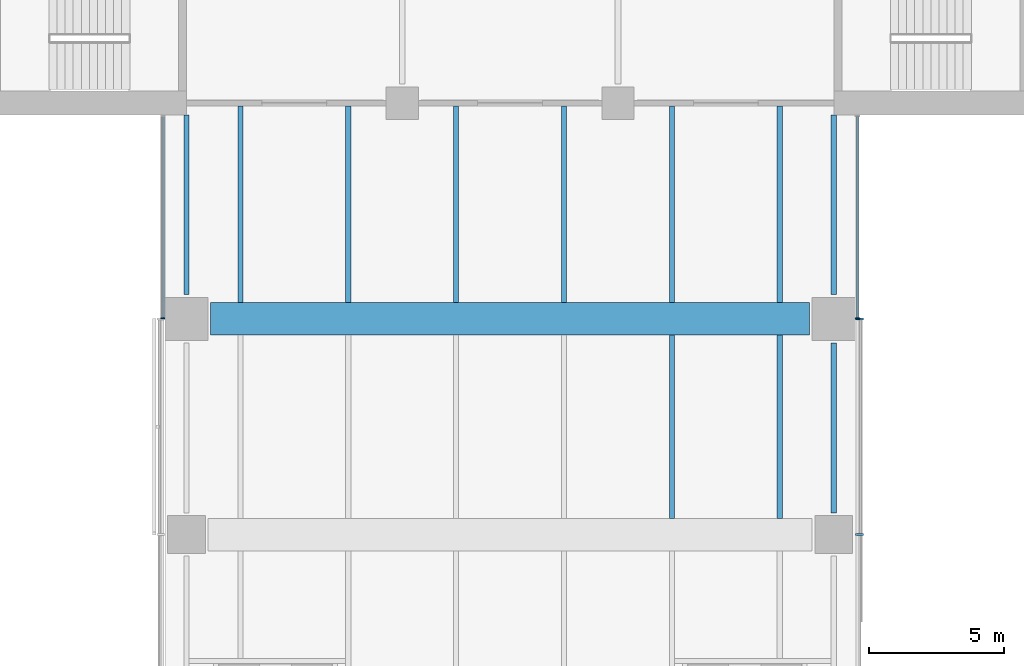
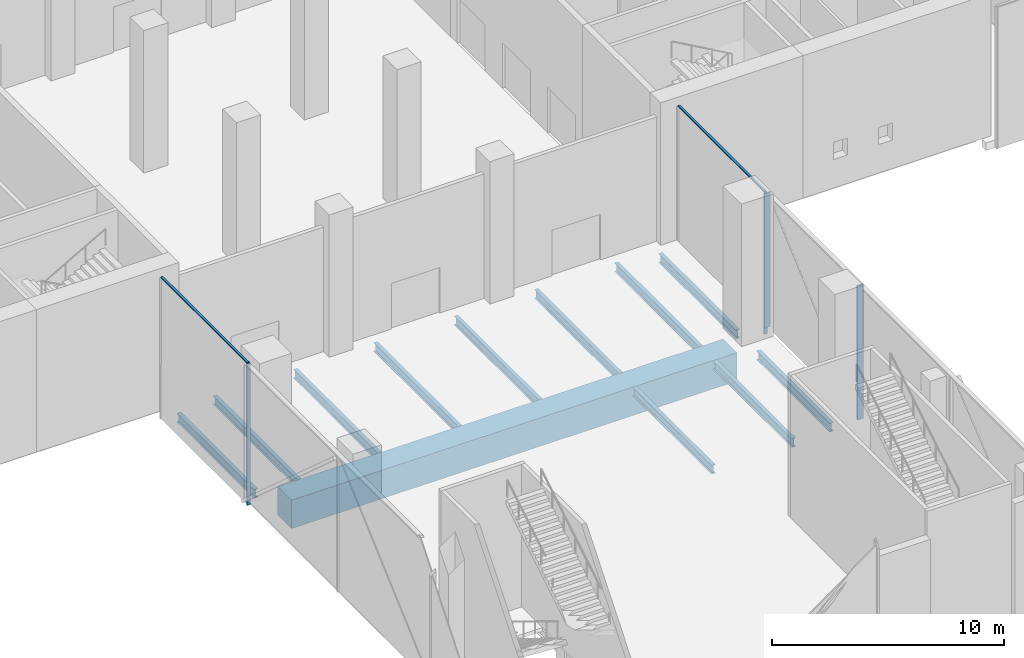
# One storey, part 3 of 25: 12 beams, 6 members, 3 elements without a shape of their own.
"""IFC4 building model written with IfcOpenShell, lengths in metres."""

from ifc_helpers import new_model, si_unit, direction, frame, origin, origin_2d, place, context, subcontext, project, spatial, rectangle, i_section, extrude, material, material_profile, profile_set, type_object, element, aggregate, save


model = new_model("IFC4")

# Units and contexts
model_context = context("Model", 3, precision=1e-05, world=origin(), true_north=direction((0.0, 1.0)))
body_context = subcontext(model_context, "Body", "Model", "MODEL_VIEW")
ifc_project = project(units=[si_unit("LENGTHUNIT", "METRE"), si_unit("AREAUNIT", "SQUARE_METRE"), si_unit("VOLUMEUNIT", "CUBIC_METRE"), si_unit("PLANEANGLEUNIT", "RADIAN"), si_unit("MASSUNIT", "GRAM", prefix="KILO")], contexts=[model_context])

# Site, building, storey
site_placement = place(None, origin())
site = spatial("IfcSite", under=ifc_project, at=site_placement, CompositionType="ELEMENT")
building_placement = place(site_placement, origin())
building = spatial("IfcBuilding", under=site, at=building_placement, Name="Crosswind Convention Tower", CompositionType="ELEMENT")
storey_placement = place(building_placement, frame((0.0, 0.0, 10.0)))
storey = spatial("IfcBuildingStorey", under=building, at=storey_placement, Name="L01", CompositionType="ELEMENT", Elevation=10.0)

# Beams
ifc_material_1 = material(Name="Steel S355", Category="steel")
ifc_material_profile_1 = material_profile(ifc_material_1, i_section(OverallWidth=0.19287109375, OverallDepth=0.467529296875, WebThickness=0.011474609375, FlangeThickness=0.01953125, FilletRadius=0.01025390625, at=origin_2d()), Name="UB 457x191x98")
ifc_profile_set_1 = profile_set([ifc_material_profile_1], Name="Steel S355")
beam_type_1 = type_object("IfcBeamType", Name="Edge beam UB 457x191x98", PredefinedType="SPANDREL", material=ifc_profile_set_1)
beam_1_placement = place(storey_placement, frame((113.0, 80.89990234375, -0.6337890625), z_axis=(0.0, 1.0, 0.0), x_axis=(-1.0, 0.0, 0.0)))
element("IfcBeam", 1, at=beam_1_placement, inside=storey, type_object=beam_type_1, Name="B20 L01 edge beam 8", PredefinedType="SPANDREL", context=body_context, shape_type="SweptSolid", body=[
    extrude(i_section(OverallWidth=0.19287109375, OverallDepth=0.467529296875, WebThickness=0.011474609375, FlangeThickness=0.01953125, FilletRadius=0.01025390625, at=origin_2d()), origin(), (0.0, 0.0, 1.0), 6.650146484375),
])
beam_2_placement = place(storey_placement, frame((137.0, 72.800048828125, -0.6337890625), z_axis=(0.0, 1.0, 0.0), x_axis=(-1.0, 0.0, 0.0)))
element("IfcBeam", 2, at=beam_2_placement, inside=storey, type_object=beam_type_1, Name="B20 L01 edge beam 15", PredefinedType="SPANDREL", context=body_context, shape_type="SweptSolid", body=[
    extrude(i_section(OverallWidth=0.19287109375, OverallDepth=0.467529296875, WebThickness=0.011474609375, FlangeThickness=0.01953125, FilletRadius=0.01025390625, at=origin_2d()), origin(), (0.0, 0.0, 1.0), 6.300048828125),
])
beam_3_placement = place(storey_placement, frame((137.0, 80.89990234375, -0.6337890625), z_axis=(0.0, 1.0, 0.0), x_axis=(-1.0, 0.0, 0.0)))
element("IfcBeam", 3, at=beam_3_placement, inside=storey, type_object=beam_type_1, Name="B20 L01 edge beam 16", PredefinedType="SPANDREL", context=body_context, shape_type="SweptSolid", body=[
    extrude(i_section(OverallWidth=0.19287109375, OverallDepth=0.467529296875, WebThickness=0.011474609375, FlangeThickness=0.01953125, FilletRadius=0.01025390625, at=origin_2d()), origin(), (0.0, 0.0, 1.0), 6.650146484375),
])

# Curtain wall, member
ifc_material_2 = material(Name="Aluminium unitised curtain wall", Category="aluminium")
curtain_wall_type_1 = type_object("IfcCurtainWallType", Name="CORE END SLOT WALL 160", PredefinedType="USERDEFINED", material=ifc_material_2)
curtain_wall_1_placement = place(storey_placement, origin())
curtain_wall_1 = element("IfcCurtainWall", 4, at=curtain_wall_1_placement, inside=storey, type_object=curtain_wall_type_1, Name="CW6 L01 S-W.1-1 slot", ObjectType="UNITISED", PredefinedType="USERDEFINED")
ifc_material_3 = material(Name="Aluminium mullion", Category="aluminium")
ifc_material_profile_2 = material_profile(ifc_material_3, rectangle(XDim=0.159912109375, YDim=0.050048828125, at=origin_2d()), Name="AL 160X50")
ifc_profile_set_2 = profile_set([ifc_material_profile_2], Name="Aluminium mullion")
member_type_1 = type_object("IfcMemberType", Name="MULLION 50X160", PredefinedType="MULLION", material=ifc_profile_set_2)
member_1_placement = place(storey_placement, frame((112.1201171875, 80.02490234375, -0.39990234375), z_axis=(0.0, 0.0, 1.0), x_axis=(-1.0, 0.0, 0.0)))
member_1 = element("IfcMember", 5, at=member_1_placement, type_object=member_type_1, Name="CW6 mullion 2", PredefinedType="MULLION", context=body_context, shape_type="SweptSolid", body=[
    extrude(rectangle(XDim=0.159912109375, YDim=0.050048828125, at=origin_2d()), origin(), (0.0, 0.0, 1.0), 7.449951171875),
])

curtain_wall_2_placement = place(storey_placement, origin())
curtain_wall_2 = element("IfcCurtainWall", 6, at=curtain_wall_2_placement, inside=storey, type_object=curtain_wall_type_1, Name="CW6 L01 S-E.1-4 slot", ObjectType="UNITISED", PredefinedType="USERDEFINED")
member_2_placement = place(storey_placement, frame((137.8798828125, 80.02490234375, -0.39990234375), z_axis=(0.0, 0.0, 1.0), x_axis=(1.0, 0.0, 0.0)))
member_2 = element("IfcMember", 7, at=member_2_placement, type_object=member_type_1, Name="CW6 mullion 1", PredefinedType="MULLION", context=body_context, shape_type="SweptSolid", body=[
    extrude(rectangle(XDim=0.159912109375, YDim=0.050048828125, at=origin_2d()), origin(), (0.0, 0.0, 1.0), 7.449951171875),
])

# Curtain wall, members
curtain_wall_type_2 = type_object("IfcCurtainWallType", Name="PODIUM UNITISED WALL 300", PredefinedType="USERDEFINED", material=ifc_material_2)
curtain_wall_3_placement = place(storey_placement, origin())
curtain_wall_3 = element("IfcCurtainWall", 8, at=curtain_wall_3_placement, inside=storey, type_object=curtain_wall_type_2, Name="CW1 L01 S-E 1", ObjectType="UNITISED", PredefinedType="USERDEFINED")
ifc_material_profile_3 = material_profile(ifc_material_3, rectangle(XDim=0.300048828125, YDim=0.080078125, at=origin_2d()), Name="AL 300X80")
ifc_profile_set_3 = profile_set([ifc_material_profile_3], Name="Aluminium mullion")
member_type_2 = type_object("IfcMemberType", Name="MULLION 80X300", PredefinedType="MULLION", material=ifc_profile_set_3)
member_3_placement = place(storey_placement, frame((137.949951171875, 72.0, -0.044921875), z_axis=(0.0, 0.0, 1.0), x_axis=(1.0, 0.0, 0.0)))
member_3 = element("IfcMember", 9, at=member_3_placement, type_object=member_type_2, Name="CW1 mullion 3", PredefinedType="MULLION", context=body_context, shape_type="SweptSolid", body=[
    extrude(rectangle(XDim=0.300048828125, YDim=0.080078125, at=origin_2d()), origin(), (0.0, 0.0, 1.0), 7.06494140625),
])
member_4_placement = place(storey_placement, frame((137.949951171875, 80.0, -0.044921875), z_axis=(0.0, 0.0, 1.0), x_axis=(1.0, 0.0, 0.0)))
member_4 = element("IfcMember", 10, at=member_4_placement, type_object=member_type_2, Name="CW1 mullion 4", PredefinedType="MULLION", context=body_context, shape_type="SweptSolid", body=[
    extrude(rectangle(XDim=0.300048828125, YDim=0.080078125, at=origin_2d()), origin(), (0.0, 0.0, 1.0), 7.06494140625),
])
aggregate(curtain_wall_3, [member_3, member_4])

# Beams
ifc_material_4 = material(Name="Concrete C70/85", Category="concrete")
ifc_material_profile_4 = material_profile(ifc_material_4, rectangle(XDim=1.199951171875, YDim=1.5, at=origin_2d()), Name="RC 1200X1500")
ifc_profile_set_4 = profile_set([ifc_material_profile_4], Name="Concrete C70/85")
beam_type_2 = type_object("IfcBeamType", Name="Prestressed concrete girder RC 1200X1500", PredefinedType="BEAM", material=ifc_profile_set_4)
beam_4_placement = place(storey_placement, frame((113.89990234375, 80.0, -1.14990234375), z_axis=(1.0, 0.0, 0.0), x_axis=(0.0, 1.0, 0.0)))
element("IfcBeam", 11, at=beam_4_placement, inside=storey, type_object=beam_type_2, Name="B39 L01 prestressed concrete girder 3", PredefinedType="BEAM", context=body_context, shape_type="SweptSolid", body=[
    extrude(rectangle(XDim=1.199951171875, YDim=1.5, at=origin_2d()), origin(), (0.0, 0.0, 1.0), 22.2001953125),
])
ifc_material_profile_5 = material_profile(ifc_material_1, i_section(OverallWidth=0.19140625, OverallDepth=0.460205078125, WebThickness=0.010009765625, FlangeThickness=0.01611328125, FilletRadius=0.01025390625, at=origin_2d()), Name="UB 457x191x82")
ifc_profile_set_5 = profile_set([ifc_material_profile_5], Name="Steel S355")
beam_type_3 = type_object("IfcBeamType", Name="Secondary beam UB 457x191x82", PredefinedType="JOIST", material=ifc_profile_set_5)
for number, where, z_axis, x_axis, name in (
    (12, (115.0, 80.60009765625, -0.630126953125), (0.0, 1.0, 0.0), (-1.0, 0.0, 0.0), "B13 L01 secondary beam 16"),
    (13, (119.0, 80.60009765625, -0.630126953125), (0.0, 1.0, 0.0), (-1.0, 0.0, 0.0), "B13 L01 secondary beam 23"),
):
    element("IfcBeam", number, at=place(storey_placement, frame(where, z_axis=z_axis, x_axis=x_axis)), inside=storey, type_object=beam_type_3, Name=name, PredefinedType="JOIST", context=body_context, shape_type="SweptSolid", body=[
        extrude(i_section(OverallWidth=0.19140625, OverallDepth=0.460205078125, WebThickness=0.010009765625, FlangeThickness=0.01611328125, FilletRadius=0.01025390625, at=origin_2d()), origin(), (0.0, 0.0, 1.0), 7.29296875),
    ])
for number, where, z_axis, x_axis, name in (
    (14, (123.0, 80.60009765625, -0.630126953125), (0.0, 1.0, 0.0), (-1.0, 0.0, 0.0), "B13 L01 secondary beam 34"),
    (15, (127.0, 80.60009765625, -0.630126953125), (0.0, 1.0, 0.0), (-1.0, 0.0, 0.0), "B13 L01 secondary beam 42"),
):
    element("IfcBeam", number, at=place(storey_placement, frame(where, z_axis=z_axis, x_axis=x_axis)), inside=storey, type_object=beam_type_3, Name=name, PredefinedType="JOIST", context=body_context, shape_type="SweptSolid", body=[
        extrude(i_section(OverallWidth=0.19140625, OverallDepth=0.460205078125, WebThickness=0.010009765625, FlangeThickness=0.01611328125, FilletRadius=0.01025390625, at=origin_2d()), origin(), (0.0, 0.0, 1.0), 7.2939453125),
    ])
beam_5_placement = place(storey_placement, frame((131.0, 72.60009765625, -0.630126953125), z_axis=(0.0, 1.0, 0.0), x_axis=(-1.0, 0.0, 0.0)))
element("IfcBeam", 16, at=beam_5_placement, inside=storey, type_object=beam_type_3, Name="B13 L01 secondary beam 52", PredefinedType="JOIST", context=body_context, shape_type="SweptSolid", body=[
    extrude(i_section(OverallWidth=0.19140625, OverallDepth=0.460205078125, WebThickness=0.010009765625, FlangeThickness=0.01611328125, FilletRadius=0.01025390625, at=origin_2d()), origin(), (0.0, 0.0, 1.0), 6.7998046875),
])
beam_6_placement = place(storey_placement, frame((131.0, 80.60009765625, -0.630126953125), z_axis=(0.0, 1.0, 0.0), x_axis=(-1.0, 0.0, 0.0)))
element("IfcBeam", 17, at=beam_6_placement, inside=storey, type_object=beam_type_3, Name="B13 L01 secondary beam 53", PredefinedType="JOIST", context=body_context, shape_type="SweptSolid", body=[
    extrude(i_section(OverallWidth=0.19140625, OverallDepth=0.460205078125, WebThickness=0.010009765625, FlangeThickness=0.01611328125, FilletRadius=0.01025390625, at=origin_2d()), origin(), (0.0, 0.0, 1.0), 7.29296875),
])
beam_7_placement = place(storey_placement, frame((135.0, 72.60009765625, -0.630126953125), z_axis=(0.0, 1.0, 0.0), x_axis=(-1.0, 0.0, 0.0)))
element("IfcBeam", 18, at=beam_7_placement, inside=storey, type_object=beam_type_3, Name="B13 L01 secondary beam 59", PredefinedType="JOIST", context=body_context, shape_type="SweptSolid", body=[
    extrude(i_section(OverallWidth=0.19140625, OverallDepth=0.460205078125, WebThickness=0.010009765625, FlangeThickness=0.01611328125, FilletRadius=0.01025390625, at=origin_2d()), origin(), (0.0, 0.0, 1.0), 6.7998046875),
])
beam_8_placement = place(storey_placement, frame((135.0, 80.60009765625, -0.630126953125), z_axis=(0.0, 1.0, 0.0), x_axis=(-1.0, 0.0, 0.0)))
element("IfcBeam", 19, at=beam_8_placement, inside=storey, type_object=beam_type_3, Name="B13 L01 secondary beam 60", PredefinedType="JOIST", context=body_context, shape_type="SweptSolid", body=[
    extrude(i_section(OverallWidth=0.19140625, OverallDepth=0.460205078125, WebThickness=0.010009765625, FlangeThickness=0.01611328125, FilletRadius=0.01025390625, at=origin_2d()), origin(), (0.0, 0.0, 1.0), 7.29296875),
])

# Member
ifc_material_5 = material(Name="Aluminium transom", Category="aluminium")
ifc_material_profile_6 = material_profile(ifc_material_5, rectangle(XDim=0.1201171875, YDim=0.050048828125, at=origin_2d()), Name="AL 120X50")
ifc_profile_set_6 = profile_set([ifc_material_profile_6], Name="Aluminium transom")
member_type_3 = type_object("IfcMemberType", Name="TRANSOM 50X120", PredefinedType="USERDEFINED", material=ifc_profile_set_6)
member_5_placement = place(storey_placement, frame((112.1201171875, 87.5, 7.074951171875), z_axis=(0.0, -1.0, 0.0), x_axis=(1.0, 0.0, 0.0)))
member_5 = element("IfcMember", 20, at=member_5_placement, type_object=member_type_3, Name="CW6 transom", ObjectType="TRANSOM", PredefinedType="USERDEFINED", context=body_context, shape_type="SweptSolid", body=[
    extrude(rectangle(XDim=0.1201171875, YDim=0.050048828125, at=origin_2d()), origin(), (0.0, 0.0, 1.0), 7.449951171875),
])

aggregate(curtain_wall_1, [member_1, member_5])

member_6_placement = place(storey_placement, frame((137.8798828125, 80.050048828125, 7.074951171875), z_axis=(0.0, 1.0, 0.0), x_axis=(-1.0, 0.0, 0.0)))
member_6 = element("IfcMember", 21, at=member_6_placement, type_object=member_type_3, Name="CW6 transom", ObjectType="TRANSOM", PredefinedType="USERDEFINED", context=body_context, shape_type="SweptSolid", body=[
    extrude(rectangle(XDim=0.1201171875, YDim=0.050048828125, at=origin_2d()), origin(), (0.0, 0.0, 1.0), 7.449951171875),
])

aggregate(curtain_wall_2, [member_2, member_6])

save(model, "model.ifc")
